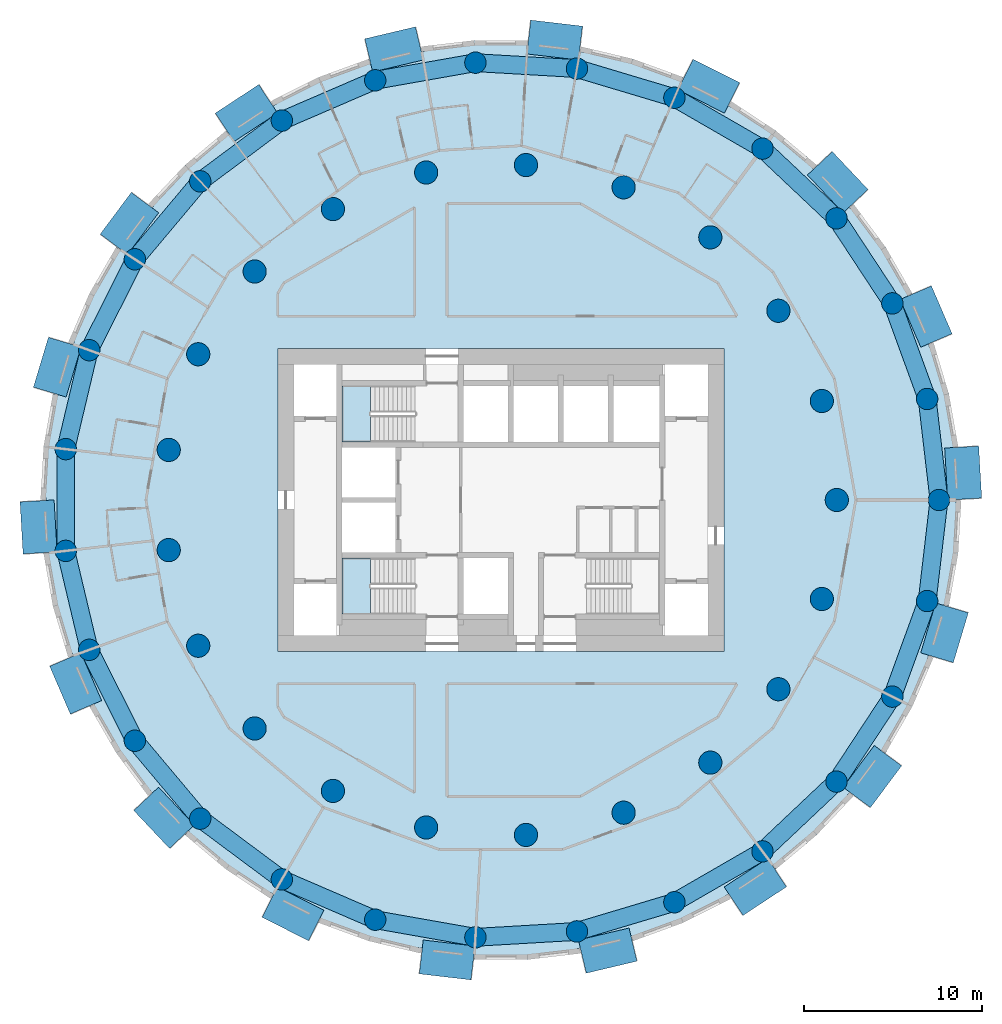
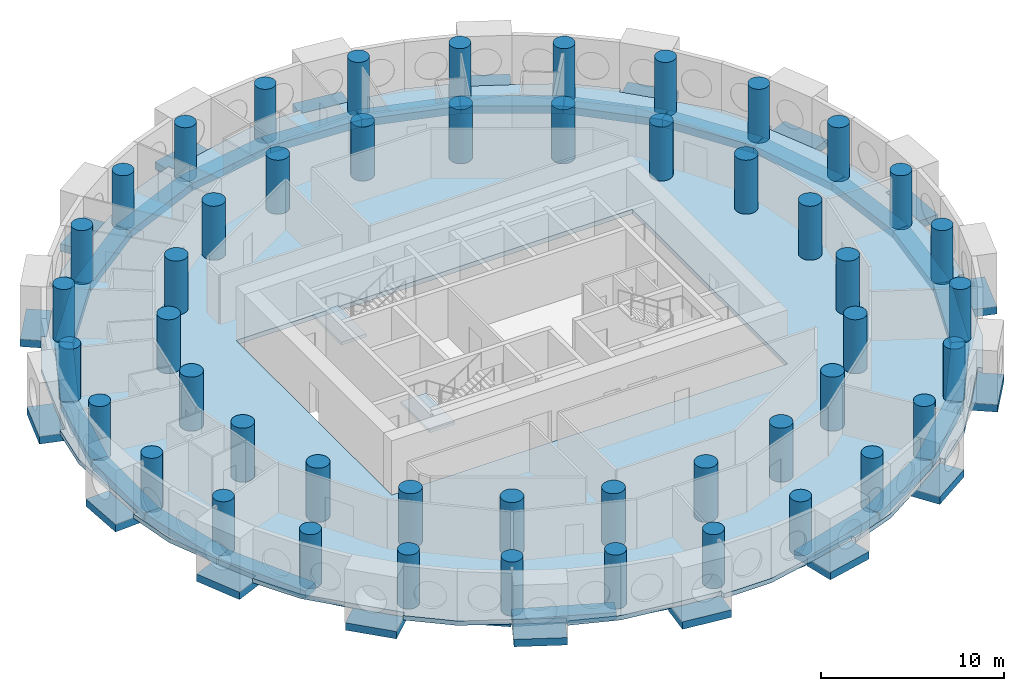
# One storey, part 1 of 10: 48 columns, 45 beams, 3 slabs, 2 elements without a shape of their own.
"""IFC4 building model written with IfcOpenShell, lengths in metres."""

from ifc_helpers import new_model, si_unit, direction, frame, origin, origin_2d, place, context, subcontext, project, spatial, polyline, rectangle, circle, outline, extrude, material, layer, layer_set, material_profile, profile_set, type_object, element, aggregate, save


model = new_model("IFC4")

# Units and contexts
model_context = context("Model", 3, precision=1e-05, world=origin(), true_north=direction((0.0, 1.0)))
body_context = subcontext(model_context, "Body", "Model", "MODEL_VIEW")
ifc_project = project(units=[si_unit("LENGTHUNIT", "METRE"), si_unit("AREAUNIT", "SQUARE_METRE"), si_unit("VOLUMEUNIT", "CUBIC_METRE"), si_unit("PLANEANGLEUNIT", "RADIAN"), si_unit("MASSUNIT", "GRAM", prefix="KILO")], contexts=[model_context])

# Site, building, storey
site_placement = place(None, origin())
site = spatial("IfcSite", under=ifc_project, at=site_placement, CompositionType="ELEMENT")
building_placement = place(site_placement, origin())
building = spatial("IfcBuilding", under=site, at=building_placement, Name="Tracery Tower", CompositionType="ELEMENT")
storey_placement = place(building_placement, frame((0.0, 0.0, 140.39990234375)))
storey = spatial("IfcBuildingStorey", under=building, at=storey_placement, Name="L35", CompositionType="ELEMENT", Elevation=140.39990234375)

# Columns
ifc_material_1 = material(Name="Concrete C50/60", Category="concrete")
ifc_material_profile_1 = material_profile(ifc_material_1, circle(Radius=0.60009765625, at=origin_2d()), Name="RC D1200")
ifc_profile_set_1 = profile_set([ifc_material_profile_1], Name="Concrete C50/60")
column_type_1 = type_object("IfcColumnType", Name="Ring 1 column 1200", PredefinedType="COLUMN", material=ifc_profile_set_1)
for number, where, z_axis, x_axis, name in (
    (1, (24.547607421875, 0.0, 0.0), (0.0, 0.0, 1.0), (1.0, 0.0, 0.0), "Ring 1 column 00 at L35"),
    (2, (23.885986328125, 5.6611328125, 0.0), (0.0, 0.0, 1.0), (1.0, 0.0, 0.0), "Ring 1 column 01 at L35"),
    (3, (21.9365234375, 11.01708984375, 0.0), (0.0, 0.0, 1.0), (1.0, 0.0, 0.0), "Ring 1 column 02 at L35"),
    (4, (18.8046875, 15.779052734375, 0.0), (0.0, 0.0, 1.0), (1.0, 0.0, 0.0), "Ring 1 column 03 at L35"),
    (5, (14.658935546875, 19.690185546875, 0.0), (0.0, 0.0, 1.0), (1.0, 0.0, 0.0), "Ring 1 column 04 at L35"),
    (6, (9.722900390625, 22.5400390625, 0.0), (0.0, 0.0, 1.0), (1.0, 0.0, 0.0), "Ring 1 column 05 at L35"),
    (7, (4.2626953125, 24.1748046875, 0.0), (0.0, 0.0, 1.0), (1.0, 0.0, 0.0), "Ring 1 column 06 at L35"),
    (8, (-1.42724609375, 24.506103515625, 0.0), (0.0, 0.0, 1.0), (1.0, 0.0, 0.0), "Ring 1 column 07 at L35"),
    (9, (-7.040283203125, 23.516357421875, 0.0), (0.0, 0.0, 1.0), (1.0, 0.0, 0.0), "Ring 1 column 08 at L35"),
    (10, (-12.273681640625, 21.2587890625, 0.0), (0.0, 0.0, 1.0), (1.0, 0.0, 0.0), "Ring 1 column 09 at L35"),
    (11, (-16.845703125, 17.855224609375, 0.0), (0.0, 0.0, 1.0), (1.0, 0.0, 0.0), "Ring 1 column 10 at L35"),
    (12, (-20.50927734375, 13.4892578125, 0.0), (0.0, 0.0, 1.0), (1.0, 0.0, 0.0), "Ring 1 column 11 at L35"),
    (13, (-23.0673828125, 8.395751953125, 0.0), (0.0, 0.0, 1.0), (1.0, 0.0, 0.0), "Ring 1 column 12 at L35"),
    (14, (-24.381591796875, 2.849853515625, 0.0), (0.0, 0.0, 1.0), (1.0, 0.0, 0.0), "Ring 1 column 13 at L35"),
    (15, (-24.381591796875, -2.849853515625, 0.0), (0.0, 0.0, 1.0), (1.0, 0.0, 0.0), "Ring 1 column 14 at L35"),
    (16, (-23.0673828125, -8.395751953125, 0.0), (0.0, 0.0, 1.0), (1.0, 0.0, 0.0), "Ring 1 column 15 at L35"),
    (17, (-20.50927734375, -13.4892578125, 0.0), (0.0, 0.0, 1.0), (1.0, 0.0, 0.0), "Ring 1 column 16 at L35"),
    (18, (-16.845703125, -17.85546875, 0.0), (0.0, 0.0, 1.0), (1.0, 0.0, 0.0), "Ring 1 column 17 at L35"),
    (19, (-12.27392578125, -21.2587890625, 0.0), (0.0, 0.0, 1.0), (1.0, 0.0, 0.0), "Ring 1 column 18 at L35"),
    (20, (-7.040283203125, -23.516357421875, 0.0), (0.0, 0.0, 1.0), (1.0, 0.0, 0.0), "Ring 1 column 19 at L35"),
    (21, (-1.42724609375, -24.506103515625, 0.0), (0.0, 0.0, 1.0), (1.0, 0.0, 0.0), "Ring 1 column 20 at L35"),
    (22, (4.2626953125, -24.1748046875, 0.0), (0.0, 0.0, 1.0), (1.0, 0.0, 0.0), "Ring 1 column 21 at L35"),
    (23, (9.722900390625, -22.5400390625, 0.0), (0.0, 0.0, 1.0), (1.0, 0.0, 0.0), "Ring 1 column 22 at L35"),
    (24, (14.658935546875, -19.690185546875, 0.0), (0.0, 0.0, 1.0), (1.0, 0.0, 0.0), "Ring 1 column 23 at L35"),
    (25, (18.8046875, -15.779052734375, 0.0), (0.0, 0.0, 1.0), (1.0, 0.0, 0.0), "Ring 1 column 24 at L35"),
    (26, (21.9365234375, -11.01708984375, 0.0), (0.0, 0.0, 1.0), (1.0, 0.0, 0.0), "Ring 1 column 25 at L35"),
    (27, (23.885986328125, -5.6611328125, 0.0), (0.0, 0.0, 1.0), (1.0, 0.0, 0.0), "Ring 1 column 26 at L35"),
):
    element("IfcColumn", number, at=place(storey_placement, frame(where, z_axis=z_axis, x_axis=x_axis)), inside=storey, type_object=column_type_1, Name=name, PredefinedType="COLUMN", context=body_context, shape_type="SweptSolid", body=[
        extrude(circle(Radius=0.60009765625, at=origin_2d()), origin(), (0.0, 0.0, 1.0), 3.60009765625),
    ])
ifc_material_2 = material(Name="Concrete C50/60", Category="concrete")
ifc_material_profile_2 = material_profile(ifc_material_2, circle(Radius=0.64990234375, at=origin_2d()), Name="RC D1300")
ifc_profile_set_2 = profile_set([ifc_material_profile_2], Name="Concrete C50/60")
column_type_2 = type_object("IfcColumnType", Name="Ring 2 column 1300", PredefinedType="COLUMN", material=ifc_profile_set_2)
for number, where, z_axis, x_axis, name in (
    (28, (18.822265625, 0.0, 0.0), (0.0, 0.0, 1.0), (1.0, 0.0, 0.0), "Ring 2 column 00 at L35"),
    (29, (17.986083984375, 5.5478515625, 0.0), (0.0, 0.0, 1.0), (1.0, 0.0, 0.0), "Ring 2 column 01 at L35"),
    (30, (15.551513671875, 10.602783203125, 0.0), (0.0, 0.0, 1.0), (1.0, 0.0, 0.0), "Ring 2 column 02 at L35"),
    (31, (11.7353515625, 14.7158203125, 0.0), (0.0, 0.0, 1.0), (1.0, 0.0, 0.0), "Ring 2 column 03 at L35"),
    (32, (6.87646484375, 17.52099609375, 0.0), (0.0, 0.0, 1.0), (1.0, 0.0, 0.0), "Ring 2 column 04 at L35"),
    (33, (1.406494140625, 18.76953125, 0.0), (0.0, 0.0, 1.0), (1.0, 0.0, 0.0), "Ring 2 column 05 at L35"),
    (34, (-4.188232421875, 18.350341796875, 0.0), (0.0, 0.0, 1.0), (1.0, 0.0, 0.0), "Ring 2 column 06 at L35"),
    (35, (-9.4111328125, 16.300537109375, 0.0), (0.0, 0.0, 1.0), (1.0, 0.0, 0.0), "Ring 2 column 07 at L35"),
    (36, (-13.797607421875, 12.802490234375, 0.0), (0.0, 0.0, 1.0), (1.0, 0.0, 0.0), "Ring 2 column 08 at L35"),
    (37, (-16.958251953125, 8.16650390625, 0.0), (0.0, 0.0, 1.0), (1.0, 0.0, 0.0), "Ring 2 column 09 at L35"),
    (38, (-18.612060546875, 2.805419921875, 0.0), (0.0, 0.0, 1.0), (1.0, 0.0, 0.0), "Ring 2 column 10 at L35"),
    (39, (-18.612060546875, -2.805419921875, 0.0), (0.0, 0.0, 1.0), (1.0, 0.0, 0.0), "Ring 2 column 11 at L35"),
    (40, (-16.958251953125, -8.166748046875, 0.0), (0.0, 0.0, 1.0), (1.0, 0.0, 0.0), "Ring 2 column 12 at L35"),
    (41, (-13.797607421875, -12.80224609375, 0.0), (0.0, 0.0, 1.0), (1.0, 0.0, 0.0), "Ring 2 column 13 at L35"),
    (42, (-9.4111328125, -16.300537109375, 0.0), (0.0, 0.0, 1.0), (1.0, 0.0, 0.0), "Ring 2 column 14 at L35"),
    (43, (-4.188232421875, -18.350341796875, 0.0), (0.0, 0.0, 1.0), (1.0, 0.0, 0.0), "Ring 2 column 15 at L35"),
    (44, (1.406494140625, -18.76953125, 0.0), (0.0, 0.0, 1.0), (1.0, 0.0, 0.0), "Ring 2 column 16 at L35"),
    (45, (6.87646484375, -17.52099609375, 0.0), (0.0, 0.0, 1.0), (1.0, 0.0, 0.0), "Ring 2 column 17 at L35"),
    (46, (11.7353515625, -14.7158203125, 0.0), (0.0, 0.0, 1.0), (1.0, 0.0, 0.0), "Ring 2 column 18 at L35"),
    (47, (15.551513671875, -10.602783203125, 0.0), (0.0, 0.0, 1.0), (1.0, 0.0, 0.0), "Ring 2 column 19 at L35"),
    (48, (17.986083984375, -5.5478515625, 0.0), (0.0, 0.0, 1.0), (1.0, 0.0, 0.0), "Ring 2 column 20 at L35"),
):
    element("IfcColumn", number, at=place(storey_placement, frame(where, z_axis=z_axis, x_axis=x_axis)), inside=storey, type_object=column_type_2, Name=name, PredefinedType="COLUMN", context=body_context, shape_type="SweptSolid", body=[
        extrude(circle(Radius=0.64990234375, at=origin_2d()), origin(), (0.0, 0.0, 1.0), 3.60009765625),
    ])

# Beams
ifc_material_3 = material(Name="Concrete C50/60", Category="concrete")
ifc_material_profile_3 = material_profile(ifc_material_3, rectangle(XDim=1.909912109375, YDim=0.5, at=origin_2d()), Name="RC 1910x500")
ifc_profile_set_3 = profile_set([ifc_material_profile_3], Name="Concrete C50/60")
beam_type_1 = type_object("IfcBeamType", Name="Bay seat beam 1910 x 500", PredefinedType="BEAM", material=ifc_profile_set_3)
for number, where, z_axis, x_axis, name in (
    (49, (25.989990234375, 0.05126953125, -0.5498046875), (-0.058109347222, 0.998310224212, 0.0), (-0.998310224212, -0.058109347222, 0.0), "Bay seat beam 1 at L35"),
    (50, (24.405029296875, 8.937255859375, -0.5498046875), (-0.39606761336, 0.918221348939, 0.0), (-0.918221348939, -0.39606761336, 0.0), "Bay seat beam 4 at L35"),
    (51, (19.87646484375, 16.745361328125, -0.5498046875), (-0.686196220404, 0.727416488061, 0.0), (-0.727416488061, -0.686196220404, 0.0), "Bay seat beam 7 at L35"),
    (52, (12.95068359375, 22.53369140625, -0.5498046875), (-0.893623094924, 0.448818186148, 0.0), (-0.448818186148, -0.893623094924, 0.0), "Bay seat beam 10 at L35"),
):
    element("IfcBeam", number, at=place(storey_placement, frame(where, z_axis=z_axis, x_axis=x_axis)), inside=storey, type_object=beam_type_1, Name=name, PredefinedType="BEAM", context=body_context, shape_type="SweptSolid", body=[
        extrude(rectangle(XDim=1.909912109375, YDim=0.5, at=origin_2d()), origin(), (0.0, 0.0, 1.0), 2.919921875),
    ])
beam_1_placement = place(storey_placement, frame((4.462646484375, 25.60400390625, -0.5498046875), z_axis=(-0.993234239252, 0.11612814464, 0.0), x_axis=(-0.11612814464, -0.993234239252, 0.0)))
element("IfcBeam", 53, at=beam_1_placement, inside=storey, type_object=beam_type_1, Name="Bay seat beam 13 at L35", PredefinedType="BEAM", context=body_context, shape_type="SweptSolid", body=[
    extrude(rectangle(XDim=1.909912109375, YDim=0.5, at=origin_2d()), origin(), (0.0, 0.0, 1.0), 2.920166015625),
])
for number, where, z_axis, x_axis, name in (
    (54, (-4.563720703125, 25.586181640625, -0.5498046875), (-0.973049685991, -0.230595551982, 0.0), (0.230595551982, -0.973049685991, 0.0), "Bay seat beam 16 at L35"),
    (55, (-13.039306640625, 22.482421875, -0.5498046875), (-0.83550698432, -0.549479825974, 0.0), (0.549479825974, -0.83550698432, 0.0), "Bay seat beam 19 at L35"),
    (56, (-19.9423828125, 16.666748046875, -0.5498046875), (-0.597227237606, -0.802072083208, 0.0), (0.802072083208, -0.597227237606, 0.0), "Bay seat beam 22 at L35"),
):
    element("IfcBeam", number, at=place(storey_placement, frame(where, z_axis=z_axis, x_axis=x_axis)), inside=storey, type_object=beam_type_1, Name=name, PredefinedType="BEAM", context=body_context, shape_type="SweptSolid", body=[
        extrude(rectangle(XDim=1.909912109375, YDim=0.5, at=origin_2d()), origin(), (0.0, 0.0, 1.0), 2.919921875),
    ])
beam_2_placement = place(storey_placement, frame((-24.440185546875, 8.8408203125, -0.5498046875), z_axis=(-0.286803183854, -0.957989526942, 0.0), x_axis=(0.957989526942, -0.286803183854, 0.0)))
element("IfcBeam", 57, at=beam_2_placement, inside=storey, type_object=beam_type_1, Name="Bay seat beam 25 at L35", PredefinedType="BEAM", context=body_context, shape_type="SweptSolid", body=[
    extrude(rectangle(XDim=1.909912109375, YDim=0.5, at=origin_2d()), origin(), (0.0, 0.0, 1.0), 2.919677734375),
])
for number, where, z_axis, x_axis, name in (
    (58, (-25.989990234375, -0.05126953125, -0.5498046875), (0.058109347222, -0.998310224212, 0.0), (0.998310224212, 0.058109347222, 0.0), "Bay seat beam 28 at L35"),
    (59, (-24.405029296875, -8.937255859375, -0.5498046875), (0.39606761336, -0.918221348939, 0.0), (0.918221348939, 0.39606761336, 0.0), "Bay seat beam 31 at L35"),
    (60, (-19.87646484375, -16.745361328125, -0.5498046875), (0.686196220404, -0.727416488061, 0.0), (0.727416488061, 0.686196220404, 0.0), "Bay seat beam 34 at L35"),
    (61, (-12.95068359375, -22.53369140625, -0.5498046875), (0.893623094924, -0.448818186148, 0.0), (0.448818186148, 0.893623094924, 0.0), "Bay seat beam 37 at L35"),
):
    element("IfcBeam", number, at=place(storey_placement, frame(where, z_axis=z_axis, x_axis=x_axis)), inside=storey, type_object=beam_type_1, Name=name, PredefinedType="BEAM", context=body_context, shape_type="SweptSolid", body=[
        extrude(rectangle(XDim=1.909912109375, YDim=0.5, at=origin_2d()), origin(), (0.0, 0.0, 1.0), 2.919921875),
    ])
beam_3_placement = place(storey_placement, frame((-4.462646484375, -25.60400390625, -0.5498046875), z_axis=(0.993234239252, -0.11612814464, 0.0), x_axis=(0.11612814464, 0.993234239252, 0.0)))
element("IfcBeam", 62, at=beam_3_placement, inside=storey, type_object=beam_type_1, Name="Bay seat beam 40 at L35", PredefinedType="BEAM", context=body_context, shape_type="SweptSolid", body=[
    extrude(rectangle(XDim=1.909912109375, YDim=0.5, at=origin_2d()), origin(), (0.0, 0.0, 1.0), 2.920166015625),
])
for number, where, z_axis, x_axis, name in (
    (63, (4.563720703125, -25.586181640625, -0.5498046875), (0.973049685991, 0.230595551982, 0.0), (-0.230595551982, 0.973049685991, 0.0), "Bay seat beam 43 at L35"),
    (64, (13.039306640625, -22.482421875, -0.5498046875), (0.83550698432, 0.549479825974, 0.0), (-0.549479825974, 0.83550698432, 0.0), "Bay seat beam 46 at L35"),
    (65, (19.9423828125, -16.666748046875, -0.5498046875), (0.597227237606, 0.802072083208, 0.0), (-0.802072083208, 0.597227237606, 0.0), "Bay seat beam 49 at L35"),
):
    element("IfcBeam", number, at=place(storey_placement, frame(where, z_axis=z_axis, x_axis=x_axis)), inside=storey, type_object=beam_type_1, Name=name, PredefinedType="BEAM", context=body_context, shape_type="SweptSolid", body=[
        extrude(rectangle(XDim=1.909912109375, YDim=0.5, at=origin_2d()), origin(), (0.0, 0.0, 1.0), 2.919921875),
    ])
beam_4_placement = place(storey_placement, frame((24.440185546875, -8.8408203125, -0.5498046875), z_axis=(0.286803183854, 0.957989526942, 0.0), x_axis=(-0.957989526942, 0.286803183854, 0.0)))
element("IfcBeam", 66, at=beam_4_placement, inside=storey, type_object=beam_type_1, Name="Bay seat beam 52 at L35", PredefinedType="BEAM", context=body_context, shape_type="SweptSolid", body=[
    extrude(rectangle(XDim=1.909912109375, YDim=0.5, at=origin_2d()), origin(), (0.0, 0.0, 1.0), 2.919677734375),
])
ifc_material_4 = material(Name="Concrete C50/60", Category="concrete")
ifc_material_profile_4 = material_profile(ifc_material_4, rectangle(XDim=1.0, YDim=0.5, at=origin_2d()), Name="RC 1000x500")
ifc_profile_set_4 = profile_set([ifc_material_profile_4], Name="Concrete C50/60")
beam_type_2 = type_object("IfcBeamType", Name="Perimeter band beam 1000x500", PredefinedType="BEAM", material=ifc_profile_set_4)
for number, where, z_axis, x_axis, name in (
    (67, (24.547607421875, 0.0, -0.5498046875), (-0.116080723252, 0.993239782575, 0.0), (-0.993239782575, -0.116080723252, 0.0), "Perimeter beam 1.00 under L35"),
    (68, (23.885986328125, 5.6611328125, -0.5498046875), (-0.342028502279, 0.939689578334, 0.0), (-0.939689578334, -0.342028502279, 0.0), "Perimeter beam 1.01 under L35"),
):
    element("IfcBeam", number, at=place(storey_placement, frame(where, z_axis=z_axis, x_axis=x_axis)), inside=storey, type_object=beam_type_2, Name=name, PredefinedType="BEAM", context=body_context, shape_type="SweptSolid", body=[
        extrude(rectangle(XDim=1.0, YDim=0.5, at=origin_2d()), origin(), (0.0, 0.0, 1.0), 5.69970703125),
    ])
for number, where, z_axis, x_axis, name in (
    (69, (21.9365234375, 11.01708984375, -0.5498046875), (-0.549489832182, 0.835500403548, 0.0), (-0.835500403548, -0.549489832182, 0.0), "Perimeter beam 1.02 under L35"),
    (70, (18.8046875, 15.779052734375, -0.5498046875), (-0.727389618263, 0.686224703172, 0.0), (-0.686224703172, -0.727389618263, 0.0), "Perimeter beam 1.03 under L35"),
):
    element("IfcBeam", number, at=place(storey_placement, frame(where, z_axis=z_axis, x_axis=x_axis)), inside=storey, type_object=beam_type_2, Name=name, PredefinedType="BEAM", context=body_context, shape_type="SweptSolid", body=[
        extrude(rectangle(XDim=1.0, YDim=0.5, at=origin_2d()), origin(), (0.0, 0.0, 1.0), 5.699462890625),
    ])
for number, where, z_axis, x_axis, name in (
    (71, (14.658935546875, 19.690185546875, -0.5498046875), (-0.866022950691, 0.500004248858, 0.0), (-0.500004248858, -0.866022950691, 0.0), "Perimeter beam 1.04 under L35"),
    (72, (9.722900390625, 22.5400390625, -0.5498046875), (-0.957985292634, 0.28681732705, 0.0), (-0.28681732705, -0.957985292634, 0.0), "Perimeter beam 1.05 under L35"),
):
    element("IfcBeam", number, at=place(storey_placement, frame(where, z_axis=z_axis, x_axis=x_axis)), inside=storey, type_object=beam_type_2, Name=name, PredefinedType="BEAM", context=body_context, shape_type="SweptSolid", body=[
        extrude(rectangle(XDim=1.0, YDim=0.5, at=origin_2d()), origin(), (0.0, 0.0, 1.0), 5.69970703125),
    ])
beam_5_placement = place(storey_placement, frame((4.2626953125, 24.1748046875, -0.5498046875), z_axis=(-0.99830920221, 0.058126902403, 0.0), x_axis=(-0.058126902403, -0.99830920221, 0.0)))
element("IfcBeam", 73, at=beam_5_placement, inside=storey, type_object=beam_type_2, Name="Perimeter beam 1.06 under L35", PredefinedType="BEAM", context=body_context, shape_type="SweptSolid", body=[
    extrude(rectangle(XDim=1.0, YDim=0.5, at=origin_2d()), origin(), (0.0, 0.0, 1.0), 5.699462890625),
])
beam_6_placement = place(storey_placement, frame((-1.42724609375, 24.506103515625, -0.5498046875), z_axis=(-0.984807266719, -0.173650935552, 0.0), x_axis=(0.173650935552, -0.984807266719, 0.0)))
element("IfcBeam", 74, at=beam_6_placement, inside=storey, type_object=beam_type_2, Name="Perimeter beam 1.07 under L35", PredefinedType="BEAM", context=body_context, shape_type="SweptSolid", body=[
    extrude(rectangle(XDim=1.0, YDim=0.5, at=origin_2d()), origin(), (0.0, 0.0, 1.0), 5.69970703125),
])
beam_7_placement = place(storey_placement, frame((-7.040283203125, 23.516357421875, -0.5498046875), z_axis=(-0.918209685525, -0.396094652083, 0.0), x_axis=(0.396094652083, -0.918209685525, 0.0)))
element("IfcBeam", 75, at=beam_7_placement, inside=storey, type_object=beam_type_2, Name="Perimeter beam 1.08 under L35", PredefinedType="BEAM", context=body_context, shape_type="SweptSolid", body=[
    extrude(rectangle(XDim=1.0, YDim=0.5, at=origin_2d()), origin(), (0.0, 0.0, 1.0), 5.699462890625),
])
beam_8_placement = place(storey_placement, frame((-12.273681640625, 21.2587890625, -0.5498046875), z_axis=(-0.802138271299, -0.59713833717, 0.0), x_axis=(0.59713833717, -0.802138271299, 0.0)))
element("IfcBeam", 76, at=beam_8_placement, inside=storey, type_object=beam_type_2, Name="Perimeter beam 1.09 under L35", PredefinedType="BEAM", context=body_context, shape_type="SweptSolid", body=[
    extrude(rectangle(XDim=1.0, YDim=0.5, at=origin_2d()), origin(), (0.0, 0.0, 1.0), 5.69970703125),
])
beam_9_placement = place(storey_placement, frame((-16.845703125, 17.855224609375, -0.5498046875), z_axis=(-0.642797194343, -0.766036400535, 0.0), x_axis=(0.766036400535, -0.642797194343, 0.0)))
element("IfcBeam", 77, at=beam_9_placement, inside=storey, type_object=beam_type_2, Name="Perimeter beam 1.10 under L35", PredefinedType="BEAM", context=body_context, shape_type="SweptSolid", body=[
    extrude(rectangle(XDim=1.0, YDim=0.5, at=origin_2d()), origin(), (0.0, 0.0, 1.0), 5.699462890625),
])
beam_10_placement = place(storey_placement, frame((-20.50927734375, 13.4892578125, -0.5498046875), z_axis=(-0.448806280933, -0.893629074166, 0.0), x_axis=(0.893629074166, -0.448806280933, 0.0)))
element("IfcBeam", 78, at=beam_10_placement, inside=storey, type_object=beam_type_2, Name="Perimeter beam 1.11 under L35", PredefinedType="BEAM", context=body_context, shape_type="SweptSolid", body=[
    extrude(rectangle(XDim=1.0, YDim=0.5, at=origin_2d()), origin(), (0.0, 0.0, 1.0), 5.69970703125),
])
beam_11_placement = place(storey_placement, frame((-23.0673828125, 8.395751953125, -0.5498046875), z_axis=(-0.230583793756, -0.973052472407, 0.0), x_axis=(0.973052472407, -0.230583793756, 0.0)))
element("IfcBeam", 79, at=beam_11_placement, inside=storey, type_object=beam_type_2, Name="Perimeter beam 1.12 under L35", PredefinedType="BEAM", context=body_context, shape_type="SweptSolid", body=[
    extrude(rectangle(XDim=1.0, YDim=0.5, at=origin_2d()), origin(), (0.0, 0.0, 1.0), 5.699462890625),
])
beam_12_placement = place(storey_placement, frame((-24.381591796875, 2.849853515625, -0.5498046875), z_axis=(0.0, -1.0, 0.0), x_axis=(1.0, 0.0, 0.0)))
element("IfcBeam", 80, at=beam_12_placement, inside=storey, type_object=beam_type_2, Name="Perimeter beam 1.13 under L35", PredefinedType="BEAM", context=body_context, shape_type="SweptSolid", body=[
    extrude(rectangle(XDim=1.0, YDim=0.5, at=origin_2d()), origin(), (0.0, 0.0, 1.0), 5.69970703125),
])
beam_13_placement = place(storey_placement, frame((-24.381591796875, -2.849853515625, -0.5498046875), z_axis=(0.230583793756, -0.973052472407, 0.0), x_axis=(0.973052472407, 0.230583793756, 0.0)))
element("IfcBeam", 81, at=beam_13_placement, inside=storey, type_object=beam_type_2, Name="Perimeter beam 1.14 under L35", PredefinedType="BEAM", context=body_context, shape_type="SweptSolid", body=[
    extrude(rectangle(XDim=1.0, YDim=0.5, at=origin_2d()), origin(), (0.0, 0.0, 1.0), 5.699462890625),
])
for number, where, z_axis, x_axis, name in (
    (82, (-23.0673828125, -8.395751953125, -0.5498046875), (0.448806280933, -0.893629074166, 0.0), (0.893629074166, 0.448806280933, 0.0), "Perimeter beam 1.15 under L35"),
    (83, (-20.50927734375, -13.4892578125, -0.5498046875), (0.64277610208, -0.766054099, 0.0), (0.766054099, 0.64277610208, 0.0), "Perimeter beam 1.16 under L35"),
):
    element("IfcBeam", number, at=place(storey_placement, frame(where, z_axis=z_axis, x_axis=x_axis)), inside=storey, type_object=beam_type_2, Name=name, PredefinedType="BEAM", context=body_context, shape_type="SweptSolid", body=[
        extrude(rectangle(XDim=1.0, YDim=0.5, at=origin_2d()), origin(), (0.0, 0.0, 1.0), 5.69970703125),
    ])
beam_14_placement = place(storey_placement, frame((-16.845703125, -17.85546875, -0.5498046875), z_axis=(0.802143514942, -0.597131293298, 0.0), x_axis=(0.597131293298, 0.802143514942, 0.0)))
element("IfcBeam", 84, at=beam_14_placement, inside=storey, type_object=beam_type_2, Name="Perimeter beam 1.17 under L35", PredefinedType="BEAM", context=body_context, shape_type="SweptSolid", body=[
    extrude(rectangle(XDim=1.0, YDim=0.5, at=origin_2d()), origin(), (0.0, 0.0, 1.0), 5.699462890625),
])
for number, where, z_axis, x_axis, name in (
    (85, (-12.27392578125, -21.2587890625, -0.5498046875), (0.918216405543, -0.39607907366, 0.0), (0.39607907366, 0.918216405543, 0.0), "Perimeter beam 1.18 under L35"),
    (86, (-7.040283203125, -23.516357421875, -0.5498046875), (0.984807266719, -0.173650935552, 0.0), (0.173650935552, 0.984807266719, 0.0), "Perimeter beam 1.19 under L35"),
):
    element("IfcBeam", number, at=place(storey_placement, frame(where, z_axis=z_axis, x_axis=x_axis)), inside=storey, type_object=beam_type_2, Name=name, PredefinedType="BEAM", context=body_context, shape_type="SweptSolid", body=[
        extrude(rectangle(XDim=1.0, YDim=0.5, at=origin_2d()), origin(), (0.0, 0.0, 1.0), 5.69970703125),
    ])
beam_15_placement = place(storey_placement, frame((-1.42724609375, -24.506103515625, -0.5498046875), z_axis=(0.99830920221, 0.058126902403, 0.0), x_axis=(-0.058126902403, 0.99830920221, 0.0)))
element("IfcBeam", 87, at=beam_15_placement, inside=storey, type_object=beam_type_2, Name="Perimeter beam 1.20 under L35", PredefinedType="BEAM", context=body_context, shape_type="SweptSolid", body=[
    extrude(rectangle(XDim=1.0, YDim=0.5, at=origin_2d()), origin(), (0.0, 0.0, 1.0), 5.699462890625),
])
for number, where, z_axis, x_axis, name in (
    (88, (4.2626953125, -24.1748046875, -0.5498046875), (0.957985292634, 0.28681732705, 0.0), (-0.28681732705, 0.957985292634, 0.0), "Perimeter beam 1.21 under L35"),
    (89, (9.722900390625, -22.5400390625, -0.5498046875), (0.866022950691, 0.500004248858, 0.0), (-0.500004248858, 0.866022950691, 0.0), "Perimeter beam 1.22 under L35"),
):
    element("IfcBeam", number, at=place(storey_placement, frame(where, z_axis=z_axis, x_axis=x_axis)), inside=storey, type_object=beam_type_2, Name=name, PredefinedType="BEAM", context=body_context, shape_type="SweptSolid", body=[
        extrude(rectangle(XDim=1.0, YDim=0.5, at=origin_2d()), origin(), (0.0, 0.0, 1.0), 5.69970703125),
    ])
for number, where, z_axis, x_axis, name in (
    (90, (14.658935546875, -19.690185546875, -0.5498046875), (0.727389618263, 0.686224703172, 0.0), (-0.686224703172, 0.727389618263, 0.0), "Perimeter beam 1.23 under L35"),
    (91, (18.8046875, -15.779052734375, -0.5498046875), (0.549489832182, 0.835500403548, 0.0), (-0.835500403548, 0.549489832182, 0.0), "Perimeter beam 1.24 under L35"),
):
    element("IfcBeam", number, at=place(storey_placement, frame(where, z_axis=z_axis, x_axis=x_axis)), inside=storey, type_object=beam_type_2, Name=name, PredefinedType="BEAM", context=body_context, shape_type="SweptSolid", body=[
        extrude(rectangle(XDim=1.0, YDim=0.5, at=origin_2d()), origin(), (0.0, 0.0, 1.0), 5.699462890625),
    ])
for number, where, z_axis, x_axis, name in (
    (92, (21.9365234375, -11.01708984375, -0.5498046875), (0.342028502279, 0.939689578334, 0.0), (-0.939689578334, 0.342028502279, 0.0), "Perimeter beam 1.25 under L35"),
    (93, (23.885986328125, -5.6611328125, -0.5498046875), (0.116080723252, 0.993239782575, 0.0), (-0.993239782575, 0.116080723252, 0.0), "Perimeter beam 1.26 under L35"),
):
    element("IfcBeam", number, at=place(storey_placement, frame(where, z_axis=z_axis, x_axis=x_axis)), inside=storey, type_object=beam_type_2, Name=name, PredefinedType="BEAM", context=body_context, shape_type="SweptSolid", body=[
        extrude(rectangle(XDim=1.0, YDim=0.5, at=origin_2d()), origin(), (0.0, 0.0, 1.0), 5.69970703125),
    ])

# Slab
ifc_material_5 = material(Name="Concrete C40/50", Category="concrete")
ifc_layer_1 = layer(ifc_material_5, 0.300048828125)
ifc_layer_set_1 = layer_set([ifc_layer_1], Name="Floor slab 300")
slab_type_1 = type_object("IfcSlabType", Name="Floor slab 300", PredefinedType="FLOOR", material=ifc_layer_set_1)
slab_1_placement = place(storey_placement, frame((0.0, 0.0, -0.2998046875)))
element("IfcSlab", 94, at=slab_1_placement, inside=storey, type_object=slab_type_1, Name="Floor slab L35", PredefinedType="FLOOR", context=body_context, shape_type="SweptSolid", body=[
    extrude(outline(polyline([(22.78515625, 11.443115234375), (22.7783203125, 11.459228515625), (23.0537109375, 11.577880859375), (21.5537109375, 14.176025390625), (19.533203125, 16.387939453125), (18.208740234375, 17.791748046875), (17.497314453125, 18.5458984375), (17.497314453125, 18.5458984375), (17.485107421875, 18.55859375), (17.70361328125, 18.7646484375), (15.4052734375, 20.69287109375), (12.74853515625, 22.081298828125), (10.098876953125, 23.411865234375), (10.098876953125, 23.411865234375), (10.083251953125, 23.419921875), (10.217529296875, 23.68701171875), (10.218017578125, 23.68798828125), (7.39892578125, 24.7138671875), (4.427490234375, 25.10986328125), (3.055908203125, 25.27001953125), (1.465087890625, 25.4560546875), (1.5, 25.75390625), (1.5, 25.754150390625), (-1.5, 25.754150390625), (-4.427490234375, 25.10986328125), (-7.312744140625, 24.426025390625), (-7.312744140625, 24.426025390625), (-7.32958984375, 24.422119140625), (-7.398681640625, 24.713134765625), (-7.39892578125, 24.7138671875), (-10.218017578125, 23.68798828125), (-12.74853515625, 22.081298828125), (-13.4443359375, 21.623779296875), (-15.240478515625, 20.4423828125), (-15.4052734375, 20.69287109375), (-15.4052734375, 20.69287109375), (-17.70361328125, 18.7646484375), (-19.531005859375, 16.390625), (-20.657958984375, 14.876953125), (-21.302490234375, 14.010986328125), (-21.302490234375, 14.010986328125), (-21.31298828125, 13.996826171875), (-21.5537109375, 14.176025390625), (-23.0537109375, 11.577880859375), (-23.95947265625, 8.720703125), (-24.694580078125, 6.265380859375), (-24.81494140625, 5.86328125), (-25.102294921875, 5.949462890625), (-25.623291015625, 2.994873046875), (-25.497314453125, 0.00048828125), (-25.32373046875, -2.9775390625), (-25.623291015625, -2.994873046875), (-25.102294921875, -5.949462890625), (-23.95947265625, -8.720703125), (-22.78515625, -11.443115234375), (-22.78515625, -11.443115234375), (-22.7783203125, -11.459228515625), (-23.0537109375, -11.577880859375), (-21.5537109375, -14.176025390625), (-19.533203125, -16.387939453125), (-18.208740234375, -17.791748046875), (-17.497314453125, -18.5458984375), (-17.497314453125, -18.5458984375), (-17.485107421875, -18.55859375), (-17.70361328125, -18.7646484375), (-15.4052734375, -20.69287109375), (-12.74853515625, -22.081298828125), (-10.098876953125, -23.411865234375), (-10.098876953125, -23.411865234375), (-10.083251953125, -23.419921875), (-10.217529296875, -23.68701171875), (-10.218017578125, -23.68798828125), (-7.39892578125, -24.7138671875), (-4.427490234375, -25.10986328125), (-3.055908203125, -25.27001953125), (-1.465087890625, -25.4560546875), (-1.5, -25.75390625), (-1.5, -25.754150390625), (1.5, -25.754150390625), (4.427490234375, -25.10986328125), (7.312744140625, -24.426025390625), (7.312744140625, -24.426025390625), (7.32958984375, -24.422119140625), (7.398681640625, -24.713134765625), (7.39892578125, -24.7138671875), (10.218017578125, -23.68798828125), (12.74853515625, -22.081298828125), (13.4443359375, -21.623779296875), (15.240478515625, -20.4423828125), (15.4052734375, -20.69287109375), (15.4052734375, -20.69287109375), (17.70361328125, -18.7646484375), (19.531005859375, -16.390625), (20.657958984375, -14.876953125), (21.302490234375, -14.010986328125), (21.302490234375, -14.010986328125), (21.31298828125, -13.996826171875), (21.5537109375, -14.176025390625), (23.0537109375, -11.577880859375), (23.95947265625, -8.720703125), (24.694580078125, -6.265380859375), (24.81494140625, -5.86328125), (25.102294921875, -5.949462890625), (25.623291015625, -2.994873046875), (25.497314453125, -0.00048828125), (25.32373046875, 2.9775390625), (25.623291015625, 2.994873046875), (25.102294921875, 5.949462890625), (23.95947265625, 8.720703125), (22.78515625, 11.443115234375), (22.78515625, 11.443115234375)]), holes=[polyline([(-12.5, -8.5), (12.5, -8.5), (12.5, 8.5), (-12.5, 8.5), (-12.5, -8.5)])]), origin(), (0.0, 0.0, 1.0), 0.2998046875),
])

# Stair, slab
ifc_material_6 = material(Name="Concrete C32/40", Category="concrete")
stair_type = type_object("IfcStairType", Name="Core stair 22 risers", PredefinedType="HALF_TURN_STAIR", material=ifc_material_6)
stair_1_placement = place(storey_placement, origin())
stair_1 = element("IfcStair", 95, at=stair_1_placement, inside=storey, type_object=stair_type, Name="L35 stair ST1", PredefinedType="HALF_TURN_STAIR")
ifc_material_7 = material(Name="Concrete C32/40", Category="concrete")
ifc_layer_2 = layer(ifc_material_7, 0.199951171875)
ifc_layer_set_2 = layer_set([ifc_layer_2], Name="Stair landing slab 200")
slab_type_2 = type_object("IfcSlabType", Name="Stair landing slab 200", PredefinedType="LANDING", material=ifc_layer_set_2)
slab_2_placement = place(storey_placement, frame((0.0, 0.0, 1.60009765625)))
slab_2 = element("IfcSlab", 96, at=slab_2_placement, type_object=slab_type_2, Name="ST1 landing 1", PredefinedType="LANDING", context=body_context, shape_type="SweptSolid", body=[
    extrude(outline(polyline([(-7.29931640625, -3.25), (-8.89990234375, -3.25), (-8.89990234375, -6.39990234375), (-7.29931640625, -6.39990234375), (-7.29931640625, -3.25)])), origin(), (0.0, 0.0, 1.0), 0.199951171875),
])
aggregate(stair_1, [slab_2])

stair_2_placement = place(storey_placement, origin())
stair_2 = element("IfcStair", 97, at=stair_2_placement, inside=storey, type_object=stair_type, Name="L35 stair ST3", PredefinedType="HALF_TURN_STAIR")
slab_3_placement = place(storey_placement, frame((0.0, 0.0, 1.60009765625)))
slab_3 = element("IfcSlab", 98, at=slab_3_placement, type_object=slab_type_2, Name="ST3 landing 1", PredefinedType="LANDING", context=body_context, shape_type="SweptSolid", body=[
    extrude(outline(polyline([(-7.29931640625, 6.39990234375), (-8.89990234375, 6.39990234375), (-8.89990234375, 3.25), (-7.29931640625, 3.25), (-7.29931640625, 6.39990234375)])), origin(), (0.0, 0.0, 1.0), 0.199951171875),
])
aggregate(stair_2, [slab_3])

save(model, "model.ifc")
